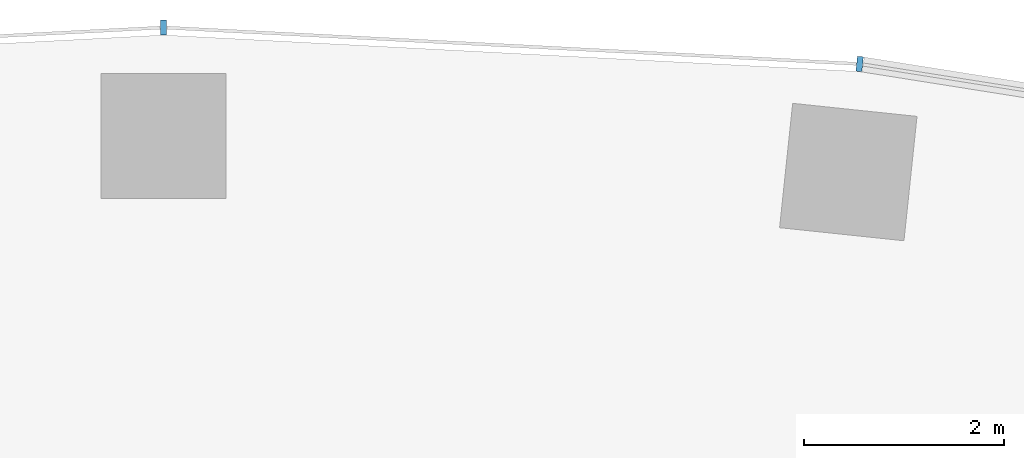
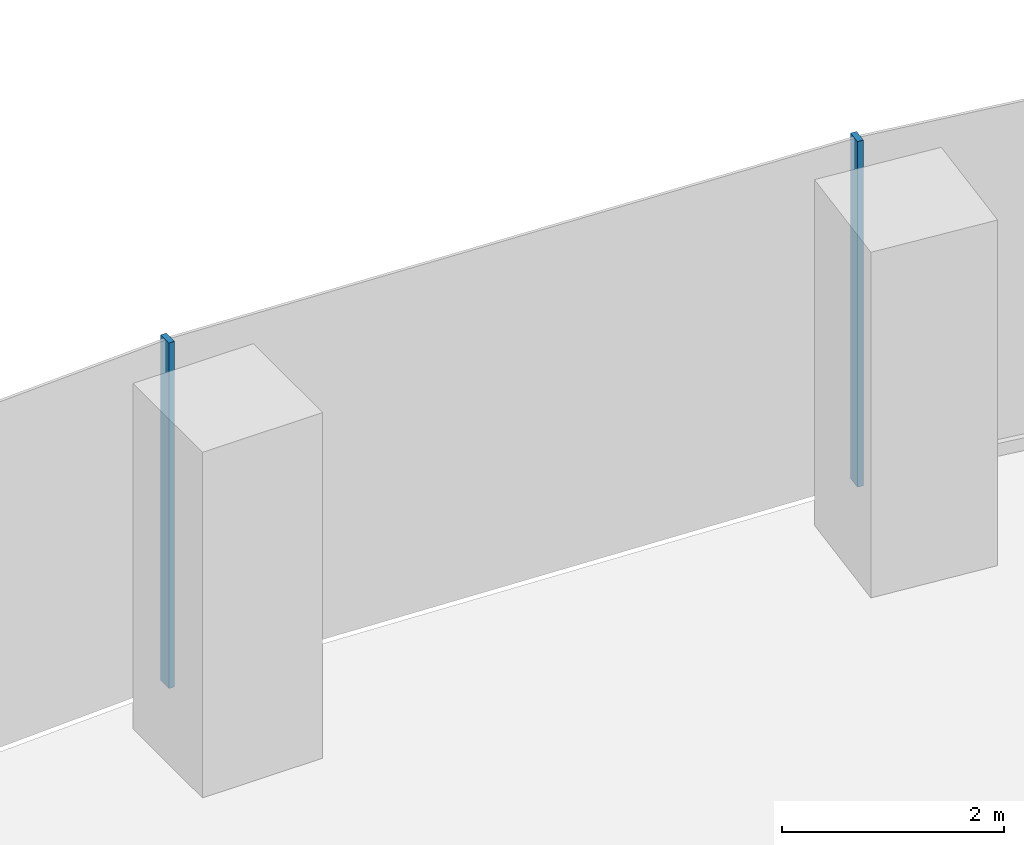
# One storey, part 7 of 21: 2 members, 1 element without a shape of its own.
"""IFC4 building model written with IfcOpenShell, lengths in metres."""

from ifc_helpers import new_model, si_unit, direction, frame, origin, origin_2d, place, context, subcontext, project, spatial, rectangle, extrude, material, layer, layer_set, material_profile, profile_set, type_object, element, aggregate, save


model = new_model("IFC4")

# Units and contexts
model_context = context("Model", 3, precision=1e-05, world=origin(), true_north=direction((0.0, 1.0)))
body_context = subcontext(model_context, "Body", "Model", "MODEL_VIEW")
ifc_project = project(units=[si_unit("LENGTHUNIT", "METRE"), si_unit("AREAUNIT", "SQUARE_METRE"), si_unit("VOLUMEUNIT", "CUBIC_METRE"), si_unit("PLANEANGLEUNIT", "RADIAN"), si_unit("MASSUNIT", "GRAM", prefix="KILO")], contexts=[model_context])

# Site, building, storey
site_placement = place(None, origin())
site = spatial("IfcSite", under=ifc_project, at=site_placement, CompositionType="ELEMENT")
building_placement = place(site_placement, origin())
building = spatial("IfcBuilding", under=site, at=building_placement, Name="Stone Belt Terrace Tower", CompositionType="ELEMENT")
storey_placement = place(building_placement, frame((0.0, 0.0, 68.0)))
storey = spatial("IfcBuildingStorey", under=building, at=storey_placement, Name="L16", CompositionType="ELEMENT", Elevation=68.0)

# Curtain wall, members
ifc_material = material(Name="Aluminium 6063-T6 anodised frame", Category="aluminium")
ifc_layer = layer(ifc_material, 0.14990234375)
ifc_layer_set = layer_set([ifc_layer], Name="CW-A unitised convex-face curtain wall")
curtain_wall_type = type_object("IfcCurtainWallType", Name="CW-A unitised convex-face curtain wall", PredefinedType="NOTDEFINED", material=ifc_layer_set)
curtain_wall_placement = place(storey_placement, origin())
curtain_wall = element("IfcCurtainWall", 1, at=curtain_wall_placement, inside=storey, type_object=curtain_wall_type, Name="CW-A convex face L16", PredefinedType="NOTDEFINED")
ifc_material_profile = material_profile(ifc_material, rectangle(XDim=0.14990234375, YDim=0.06005859375, at=origin_2d()), Name="Aluminium 6063-T6 60x150")
ifc_profile_set = profile_set([ifc_material_profile], Name="Aluminium 6063-T6 anodised frame")
member_type = type_object("IfcMemberType", Name="CW-A mullion 60 x 150", PredefinedType="MULLION", material=ifc_profile_set)
member_1_placement = place(storey_placement, frame((6.958984375, 66.21044921875, 0.0), z_axis=(0.0, 0.0, 1.0), x_axis=(-0.104528463268, -0.994521895368, 0.0)))
member_1 = element("IfcMember", 2, at=member_1_placement, type_object=member_type, Name="CW-A mullion 8", PredefinedType="MULLION", context=body_context, shape_type="SweptSolid", body=[
    extrude(rectangle(XDim=0.14990234375, YDim=0.06005859375, at=origin_2d()), origin(), (0.0, 0.0, 1.0), 3.800048828125),
])
member_2_placement = place(storey_placement, frame((0.0, 66.5751953125, 0.0), z_axis=(0.0, 0.0, 1.0), x_axis=(0.0, -1.0, 0.0)))
member_2 = element("IfcMember", 3, at=member_2_placement, type_object=member_type, Name="CW-A mullion 9", PredefinedType="MULLION", context=body_context, shape_type="SweptSolid", body=[
    extrude(rectangle(XDim=0.14990234375, YDim=0.06005859375, at=origin_2d()), origin(), (0.0, 0.0, 1.0), 3.800048828125),
])
aggregate(curtain_wall, [member_1, member_2])

save(model, "model.ifc")
